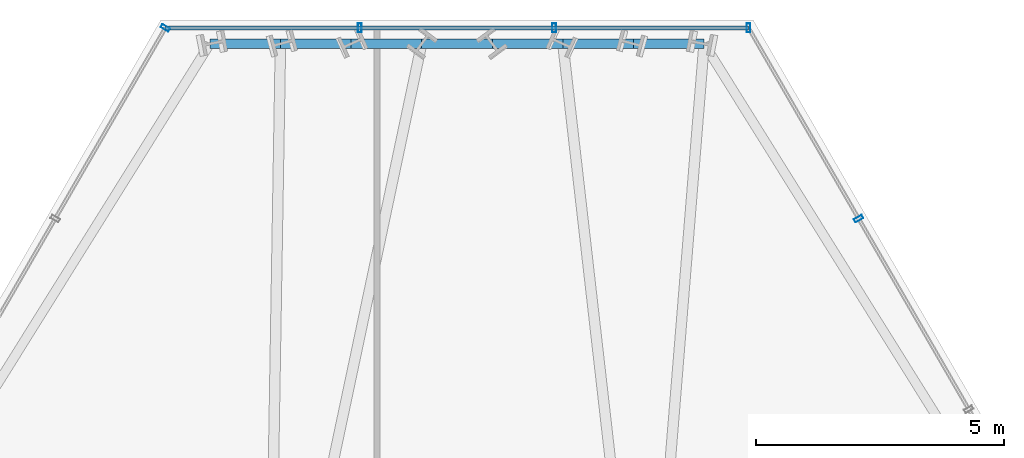
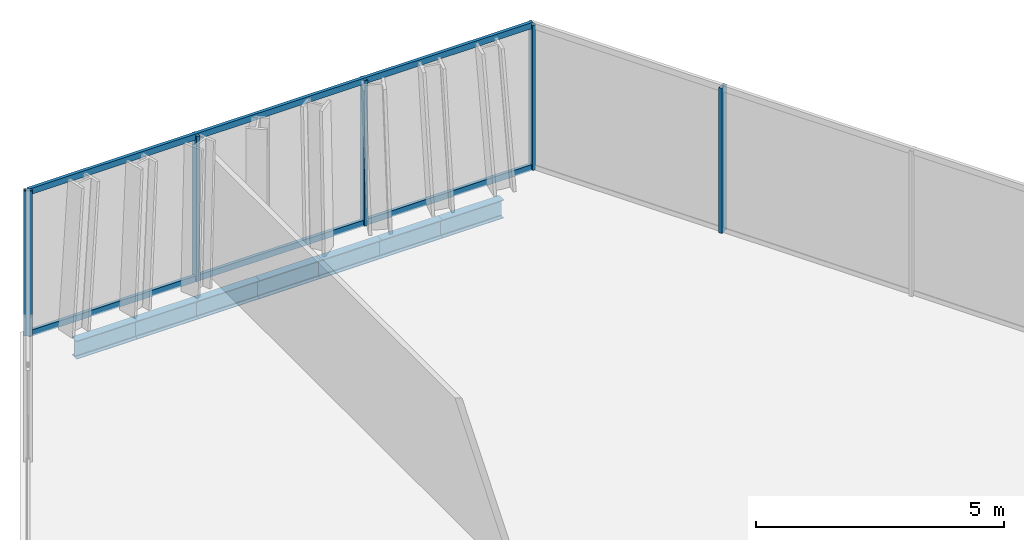
# One storey, part 22 of 31: 7 beams, 7 members, 3 elements without a shape of their own.
"""IFC4 building model written with IfcOpenShell, lengths in metres."""

from ifc_helpers import new_model, si_unit, direction, frame, origin, origin_2d, place, context, subcontext, project, spatial, hollow_rectangle, i_section, extrude, material, layer, layer_set, material_profile, profile_set, type_object, element, aggregate, save


model = new_model("IFC4")

# Units and contexts
model_context = context("Model", 3, precision=1e-05, world=origin(), true_north=direction((0.0, 1.0)))
body_context = subcontext(model_context, "Body", "Model", "MODEL_VIEW")
ifc_project = project(units=[si_unit("LENGTHUNIT", "METRE"), si_unit("AREAUNIT", "SQUARE_METRE"), si_unit("VOLUMEUNIT", "CUBIC_METRE"), si_unit("PLANEANGLEUNIT", "RADIAN"), si_unit("MASSUNIT", "GRAM", prefix="KILO")], contexts=[model_context])

# Site, building, storey
site_placement = place(None, origin())
site = spatial("IfcSite", under=ifc_project, at=site_placement, CompositionType="ELEMENT")
building_placement = place(site_placement, origin())
building = spatial("IfcBuilding", under=site, at=building_placement, Name="Ndaravel Arena Tower", CompositionType="ELEMENT")
storey_placement = place(building_placement, frame((0.0, 0.0, 146.0)))
storey = spatial("IfcBuildingStorey", under=building, at=storey_placement, Name="L34", CompositionType="ELEMENT", Elevation=146.0)

# Beams
ifc_material_1 = material(Name="Steel S355", Category="steel")
ifc_material_profile_1 = material_profile(ifc_material_1, i_section(OverallWidth=0.18994140625, OverallDepth=0.449951171875, WebThickness=0.009521484375, FlangeThickness=0.0146484375, FilletRadius=0.02099609375, at=origin_2d()), Name="IPE 450")
ifc_profile_set_1 = profile_set([ifc_material_profile_1], Name="Steel S355")
beam_type = type_object("IfcBeamType", Name="BM-SPAN-IPE450", PredefinedType="SPANDREL", material=ifc_profile_set_1)
beam_1_placement = place(storey_placement, frame((46.98291015625, 45.784912109375, -0.445068359375), z_axis=(-1.0, 0.0, 0.0), x_axis=(0.0, -1.0, 0.0)))
element("IfcBeam", 1, at=beam_1_placement, inside=storey, type_object=beam_type, Name="L34 Perimeter Spandrel Beam SP-11", PredefinedType="SPANDREL", context=body_context, shape_type="SweptSolid", body=[
    extrude(i_section(OverallWidth=0.18994140625, OverallDepth=0.449951171875, WebThickness=0.009521484375, FlangeThickness=0.0146484375, FilletRadius=0.02099609375, at=origin_2d()), origin(), (0.0, 0.0, 1.0), 1.423828125),
])
for number, where, z_axis, x_axis, name in (
    (2, (45.55908203125, 45.784912109375, -0.445068359375), (-1.0, 0.0, 0.0), (0.0, -1.0, 0.0), "L34 Perimeter Spandrel Beam SP-12"),
    (3, (44.135498046875, 45.784912109375, -0.445068359375), (-1.0, 0.0, 0.0), (0.0, -1.0, 0.0), "L34 Perimeter Spandrel Beam SP-13"),
):
    element("IfcBeam", number, at=place(storey_placement, frame(where, z_axis=z_axis, x_axis=x_axis)), inside=storey, type_object=beam_type, Name=name, PredefinedType="SPANDREL", context=body_context, shape_type="SweptSolid", body=[
        extrude(i_section(OverallWidth=0.18994140625, OverallDepth=0.449951171875, WebThickness=0.009521484375, FlangeThickness=0.0146484375, FilletRadius=0.02099609375, at=origin_2d()), origin(), (0.0, 0.0, 1.0), 1.423583984375),
    ])
beam_2_placement = place(storey_placement, frame((42.7119140625, 45.784912109375, -0.445068359375), z_axis=(-1.0, 0.0, 0.0), x_axis=(0.0, -1.0, 0.0)))
element("IfcBeam", 4, at=beam_2_placement, inside=storey, type_object=beam_type, Name="L34 Perimeter Spandrel Beam SP-14", PredefinedType="SPANDREL", context=body_context, shape_type="SweptSolid", body=[
    extrude(i_section(OverallWidth=0.18994140625, OverallDepth=0.449951171875, WebThickness=0.009521484375, FlangeThickness=0.0146484375, FilletRadius=0.02099609375, at=origin_2d()), origin(), (0.0, 0.0, 1.0), 1.423828125),
])
for number, where, z_axis, x_axis, name in (
    (5, (41.2880859375, 45.784912109375, -0.445068359375), (-1.0, 0.0, 0.0), (0.0, -1.0, 0.0), "L34 Perimeter Spandrel Beam SP-15"),
    (6, (39.864501953125, 45.784912109375, -0.445068359375), (-1.0, 0.0, 0.0), (0.0, -1.0, 0.0), "L34 Perimeter Spandrel Beam SP-16"),
):
    element("IfcBeam", number, at=place(storey_placement, frame(where, z_axis=z_axis, x_axis=x_axis)), inside=storey, type_object=beam_type, Name=name, PredefinedType="SPANDREL", context=body_context, shape_type="SweptSolid", body=[
        extrude(i_section(OverallWidth=0.18994140625, OverallDepth=0.449951171875, WebThickness=0.009521484375, FlangeThickness=0.0146484375, FilletRadius=0.02099609375, at=origin_2d()), origin(), (0.0, 0.0, 1.0), 1.423583984375),
    ])
beam_3_placement = place(storey_placement, frame((38.44091796875, 45.784912109375, -0.445068359375), z_axis=(-1.0, 0.0, 0.0), x_axis=(0.0, -1.0, 0.0)))
element("IfcBeam", 7, at=beam_3_placement, inside=storey, type_object=beam_type, Name="L34 Perimeter Spandrel Beam SP-17", PredefinedType="SPANDREL", context=body_context, shape_type="SweptSolid", body=[
    extrude(i_section(OverallWidth=0.18994140625, OverallDepth=0.449951171875, WebThickness=0.009521484375, FlangeThickness=0.0146484375, FilletRadius=0.02099609375, at=origin_2d()), origin(), (0.0, 0.0, 1.0), 1.423828125),
])

# Curtain wall, member
ifc_material_2 = material(Name="Aluminium", Category="aluminium")
ifc_layer_1 = layer(ifc_material_2, 0.179931640625)
ifc_layer_set_1 = layer_set([ifc_layer_1], Name="Aluminium")
curtain_wall_type_1 = type_object("IfcCurtainWallType", Name="CW-SYS-03", PredefinedType="NOTDEFINED", material=ifc_layer_set_1)
curtain_wall_1_placement = place(storey_placement, origin())
curtain_wall_1 = element("IfcCurtainWall", 8, at=curtain_wall_1_placement, inside=storey, type_object=curtain_wall_type_1, Name="L34 Faceted Crystal Curtain Wall CW-L34-E03", PredefinedType="NOTDEFINED")
ifc_material_3 = material(Name="Aluminium", Category="aluminium")
ifc_material_profile_2 = material_profile(ifc_material_3, hollow_rectangle(XDim=0.074951171875, YDim=0.179931640625, WallThickness=0.00390625, at=origin_2d()), Name="CW MULLION 75x180x4")
ifc_profile_set_2 = profile_set([ifc_material_profile_2], Name="Aluminium")
member_type_1 = type_object("IfcMemberType", Name="MEM-CW-MUL180", PredefinedType="MULLION", material=ifc_profile_set_2)
member_1_placement = place(storey_placement, frame((50.099365234375, 42.259765625, 0.0), z_axis=(0.0, 0.0, 1.0), x_axis=(-0.5, 0.866025403784, 0.0)))
member_1 = element("IfcMember", 9, at=member_1_placement, type_object=member_type_1, Name="CW-L34-E03 Mullion 07", PredefinedType="MULLION", context=body_context, shape_type="SweptSolid", body=[
    extrude(hollow_rectangle(XDim=0.074951171875, YDim=0.179931640625, WallThickness=0.00390625, at=origin_2d()), origin(), (0.0, 0.0, 1.0), 3.580078125),
])
aggregate(curtain_wall_1, [member_1])

# Curtain wall, members
ifc_material_4 = material(Name="Aluminium", Category="aluminium")
ifc_layer_2 = layer(ifc_material_4, 0.179931640625)
ifc_layer_set_2 = layer_set([ifc_layer_2], Name="Aluminium")
curtain_wall_type_2 = type_object("IfcCurtainWallType", Name="CW-SYS-01", PredefinedType="NOTDEFINED", material=ifc_layer_set_2)
curtain_wall_2_placement = place(storey_placement, origin())
curtain_wall_2 = element("IfcCurtainWall", 10, at=curtain_wall_2_placement, inside=storey, type_object=curtain_wall_type_2, Name="L34 Faceted Crystal Curtain Wall CW-L34-E04", PredefinedType="NOTDEFINED")
member_2_placement = place(storey_placement, frame((47.87939453125, 46.10498046875, 0.0), z_axis=(0.0, 0.0, 1.0), x_axis=(-1.0, 0.0, 0.0)))
member_2 = element("IfcMember", 11, at=member_2_placement, type_object=member_type_1, Name="CW-L34-E04 Mullion 00", PredefinedType="MULLION", context=body_context, shape_type="SweptSolid", body=[
    extrude(hollow_rectangle(XDim=0.074951171875, YDim=0.179931640625, WallThickness=0.00390625, at=origin_2d()), origin(), (0.0, 0.0, 1.0), 3.580078125),
])
member_3_placement = place(storey_placement, frame((43.959716796875, 46.10498046875, 0.0), z_axis=(0.0, 0.0, 1.0), x_axis=(-1.0, 0.0, 0.0)))
member_3 = element("IfcMember", 12, at=member_3_placement, type_object=member_type_1, Name="CW-L34-E04 Mullion 01", PredefinedType="MULLION", context=body_context, shape_type="SweptSolid", body=[
    extrude(hollow_rectangle(XDim=0.074951171875, YDim=0.179931640625, WallThickness=0.00390625, at=origin_2d()), origin(), (0.0, 0.0, 1.0), 3.580078125),
])
member_4_placement = place(storey_placement, frame((40.040283203125, 46.10498046875, 0.0), z_axis=(0.0, 0.0, 1.0), x_axis=(-1.0, 0.0, 0.0)))
member_4 = element("IfcMember", 13, at=member_4_placement, type_object=member_type_1, Name="CW-L34-E04 Mullion 02", PredefinedType="MULLION", context=body_context, shape_type="SweptSolid", body=[
    extrude(hollow_rectangle(XDim=0.074951171875, YDim=0.179931640625, WallThickness=0.00390625, at=origin_2d()), origin(), (0.0, 0.0, 1.0), 3.580078125),
])

# Curtain wall, member
curtain_wall_3_placement = place(storey_placement, origin())
curtain_wall_3 = element("IfcCurtainWall", 14, at=curtain_wall_3_placement, inside=storey, type_object=curtain_wall_type_1, Name="L34 Faceted Crystal Curtain Wall CW-L34-E05", PredefinedType="NOTDEFINED")
member_5_placement = place(storey_placement, frame((36.12060546875, 46.10498046875, 0.0), z_axis=(0.0, 0.0, 1.0), x_axis=(-0.5, -0.866025403784, 0.0)))
member_5 = element("IfcMember", 15, at=member_5_placement, type_object=member_type_1, Name="CW-L34-E05 Mullion 00", PredefinedType="MULLION", context=body_context, shape_type="SweptSolid", body=[
    extrude(hollow_rectangle(XDim=0.074951171875, YDim=0.179931640625, WallThickness=0.00390625, at=origin_2d()), origin(), (0.0, 0.0, 1.0), 3.580078125),
])
aggregate(curtain_wall_3, [member_5])

# Member
ifc_material_5 = material(Name="Aluminium", Category="aluminium")
ifc_material_profile_3 = material_profile(ifc_material_5, hollow_rectangle(XDim=0.074951171875, YDim=0.14990234375, WallThickness=0.00390625, at=origin_2d()), Name="CW TRANSOM 75x150x4")
ifc_profile_set_3 = profile_set([ifc_material_profile_3], Name="Aluminium")
member_type_2 = type_object("IfcMemberType", Name="MEM-CW-TRN150", PredefinedType="USERDEFINED", material=ifc_profile_set_3)
member_6_placement = place(storey_placement, frame((47.87939453125, 46.10498046875, 0.0400390625), z_axis=(-1.0, 0.0, 0.0), x_axis=(0.0, -1.0, 0.0)))
member_6 = element("IfcMember", 16, at=member_6_placement, type_object=member_type_2, Name="CW-L34-E04 Transom 01", ObjectType="TRANSOM", PredefinedType="USERDEFINED", context=body_context, shape_type="SweptSolid", body=[
    extrude(hollow_rectangle(XDim=0.074951171875, YDim=0.14990234375, WallThickness=0.00390625, at=origin_2d()), origin(), (0.0, 0.0, 1.0), 11.7587890625),
])

member_7_placement = place(storey_placement, frame((47.87939453125, 46.10498046875, 3.5400390625), z_axis=(-1.0, 0.0, 0.0), x_axis=(0.0, -1.0, 0.0)))
member_7 = element("IfcMember", 17, at=member_7_placement, type_object=member_type_2, Name="CW-L34-E04 Transom 02", ObjectType="TRANSOM", PredefinedType="USERDEFINED", context=body_context, shape_type="SweptSolid", body=[
    extrude(hollow_rectangle(XDim=0.074951171875, YDim=0.14990234375, WallThickness=0.00390625, at=origin_2d()), origin(), (0.0, 0.0, 1.0), 11.7587890625),
])

aggregate(curtain_wall_2, [member_2, member_3, member_4, member_6, member_7])

save(model, "model.ifc")
